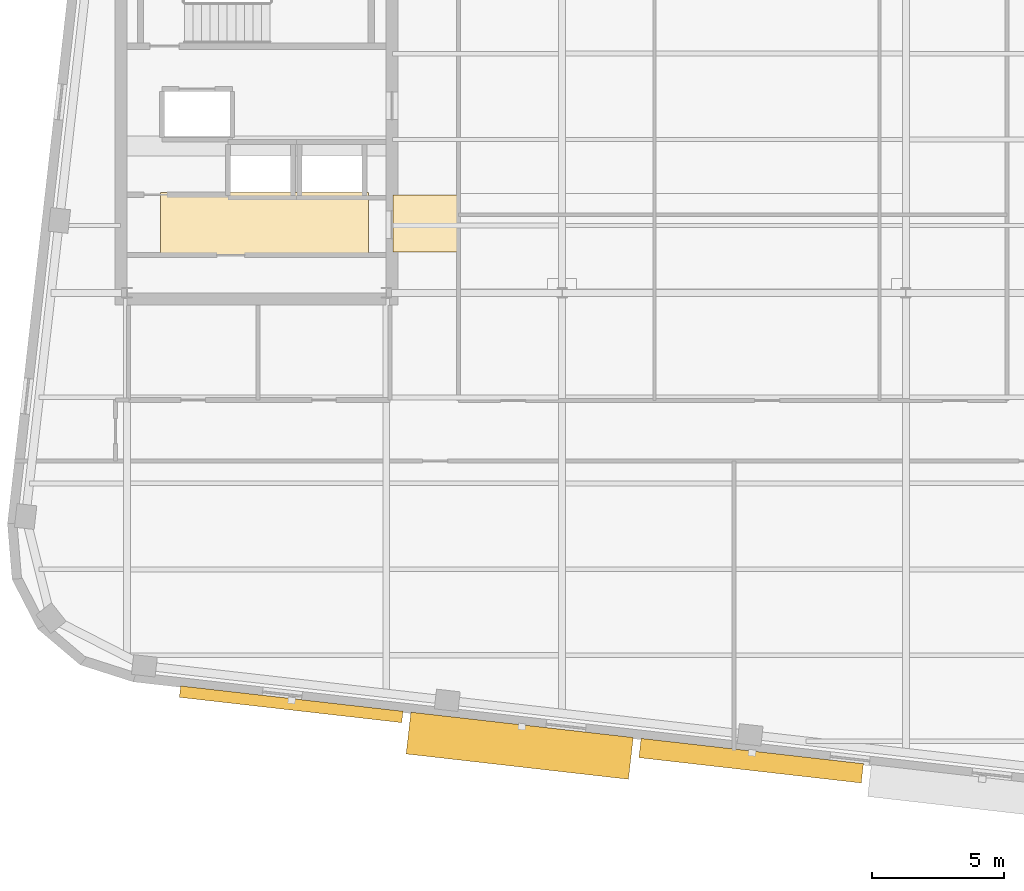
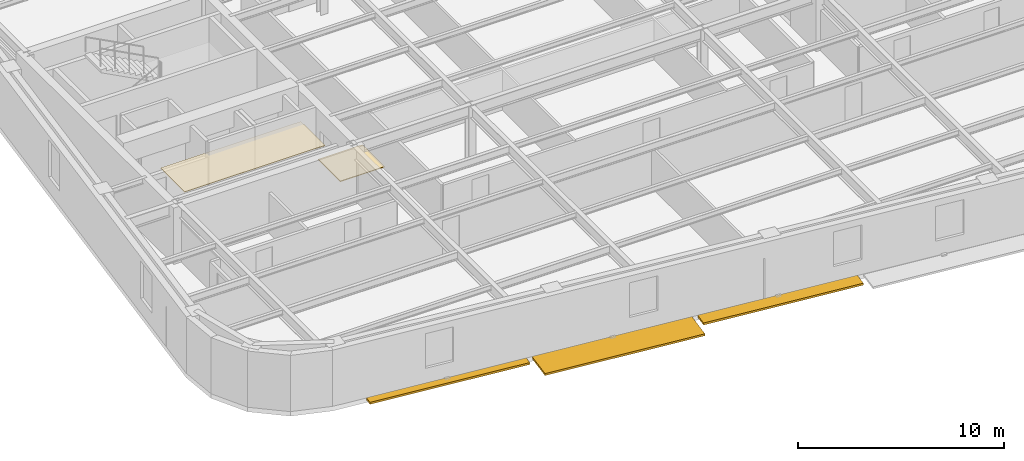
# One storey, part 10 of 13: 3 shading devices, 2 coverings.
"""IFC4 building model written with IfcOpenShell, lengths in metres."""

from ifc_helpers import new_model, si_unit, direction, frame, origin, origin_2d, place, context, subcontext, project, spatial, polyline, rectangle, outline, extrude, material, layer, layer_set, type_object, element, save


model = new_model("IFC4")

# Units and contexts
model_context = context("Model", 3, precision=1e-05, world=origin(), true_north=direction((0.0, 1.0)))
body_context = subcontext(model_context, "Body", "Model", "MODEL_VIEW")
ifc_project = project(units=[si_unit("LENGTHUNIT", "METRE"), si_unit("AREAUNIT", "SQUARE_METRE"), si_unit("VOLUMEUNIT", "CUBIC_METRE"), si_unit("PLANEANGLEUNIT", "RADIAN"), si_unit("MASSUNIT", "GRAM", prefix="KILO")], contexts=[model_context])

# Site, building, storey
site_placement = place(None, origin())
site = spatial("IfcSite", under=ifc_project, at=site_placement, CompositionType="ELEMENT")
building_placement = place(site_placement, origin())
building = spatial("IfcBuilding", under=site, at=building_placement, Name="Kolvaren Arena Tower", CompositionType="ELEMENT")
storey_placement = place(building_placement, frame((0.0, 0.0, 265.949951171875)))
storey = spatial("IfcBuildingStorey", under=building, at=storey_placement, Name="L65", CompositionType="ELEMENT", Elevation=265.949951171875)

# Coverings
ifc_material_1 = material(Name="Moisture-resistant gypsum ceiling", Category="gypsum")
ifc_layer_1 = layer(ifc_material_1, 0.030029296875)
ifc_layer_set_1 = layer_set([ifc_layer_1], Name="Moisture-resistant gypsum ceiling")
covering_type_1 = type_object("IfcCoveringType", Name="CEIL-GYP-1", PredefinedType="CEILING", material=ifc_layer_set_1)
covering_1_placement = place(storey_placement, frame((0.0, 0.0, 2.52001953125)))
element("IfcCovering", 1, at=covering_1_placement, inside=storey, type_object=covering_type_1, Name="Suspended Ceiling (L65)", PredefinedType="CEILING", context=body_context, shape_type="SweptSolid", body=[
    extrude(outline(polyline([(15.820068359375, 20.89990234375), (15.820068359375, 23.239990234375), (23.679931640625, 23.239990234375), (23.679931640625, 20.89990234375), (15.820068359375, 20.89990234375)])), origin(), (0.0, 0.0, 1.0), 0.030029296875),
])
ifc_material_2 = material(Name="Raised access office floor finish", Category="aluminium")
ifc_layer_2 = layer(ifc_material_2, 0.044921875)
ifc_layer_set_2 = layer_set([ifc_layer_2], Name="Raised access office floor finish")
covering_type_2 = type_object("IfcCoveringType", Name="FLOR-RAF-1", PredefinedType="FLOORING", material=ifc_layer_set_2)
covering_2_placement = place(storey_placement, origin())
element("IfcCovering", 2, at=covering_2_placement, inside=storey, type_object=covering_type_2, Name="Floor Finish (L65)", PredefinedType="FLOORING", context=body_context, shape_type="SweptSolid", body=[
    extrude(outline(polyline([(24.60009765625, 21.0), (24.60009765625, 23.14990234375), (27.080078125, 23.14990234375), (27.080078125, 21.0), (24.60009765625, 21.0)])), origin(), (0.0, 0.0, 1.0), 0.045166015625),
])

# Shading devices
ifc_material_3 = material(Name="Architectural precast GFRC and anodised aluminium sunshade", Category="concrete")
shading_device_type_1 = type_object("IfcShadingDeviceType", Name="SHAD-SINE-A", PredefinedType="USERDEFINED", material=ifc_material_3)
shading_device_1_placement = place(storey_placement, frame((38.149169921875, 1.76416015625, -0.139892578125), z_axis=(0.0, 0.0, 1.0), x_axis=(-0.993571658098, 0.113204947878, 0.0)))
element("IfcShadingDevice", 3, at=shading_device_1_placement, inside=storey, type_object=shading_device_type_1, Name="Sinusoidal Slab-Edge Sunshade Louvre (L65)", ObjectType="LOUVRE", PredefinedType="USERDEFINED", context=body_context, shape_type="SweptSolid", body=[
    extrude(rectangle(XDim=8.4599609375, YDim=0.733154296875, at=origin_2d()), origin(), (0.0, 0.0, 1.0), 0.1201171875),
])
shading_device_2_placement = place(storey_placement, frame((20.7587890625, 3.896484375, -0.139892578125), z_axis=(0.0, 0.0, 1.0), x_axis=(-0.993571658098, 0.113204947878, 0.0)))
element("IfcShadingDevice", 4, at=shading_device_2_placement, inside=storey, type_object=shading_device_type_1, Name="Sinusoidal Slab-Edge Sunshade Louvre (L65)", ObjectType="LOUVRE", PredefinedType="USERDEFINED", context=body_context, shape_type="SweptSolid", body=[
    extrude(rectangle(XDim=8.4599609375, YDim=0.432861328125, at=origin_2d()), origin(), (0.0, 0.0, 1.0), 0.1201171875),
])
shading_device_type_2 = type_object("IfcShadingDeviceType", Name="SHAD-SINE-B", PredefinedType="JALOUSIE", material=ifc_material_3)
shading_device_3_placement = place(storey_placement, frame((29.39697265625, 2.330078125, -0.139892578125), z_axis=(0.0, 0.0, 1.0), x_axis=(-0.993571658098, 0.113204947878, 0.0)))
element("IfcShadingDevice", 5, at=shading_device_3_placement, inside=storey, type_object=shading_device_type_2, Name="Sinusoidal Slab-Edge Sunshade Louvre (L65)", PredefinedType="JALOUSIE", context=body_context, shape_type="SweptSolid", body=[
    extrude(rectangle(XDim=8.4599609375, YDim=1.589599609375, at=origin_2d()), origin(), (0.0, 0.0, 1.0), 0.1201171875),
])

save(model, "model.ifc")
